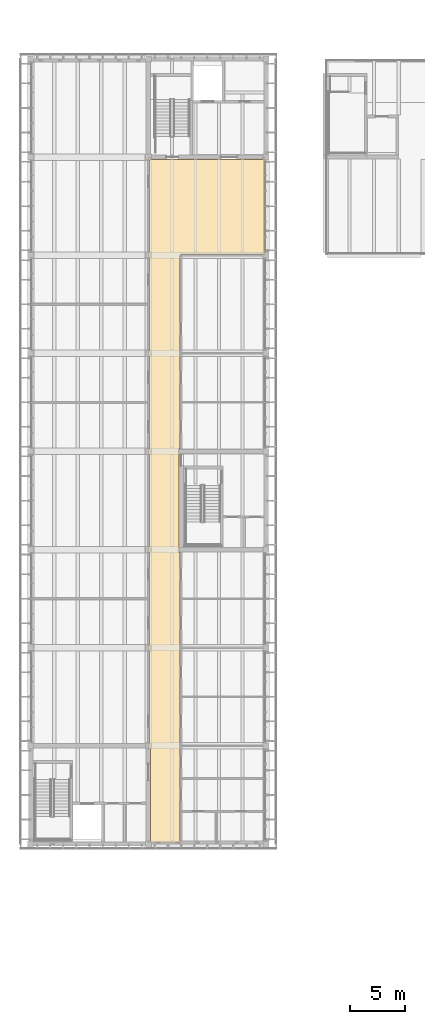
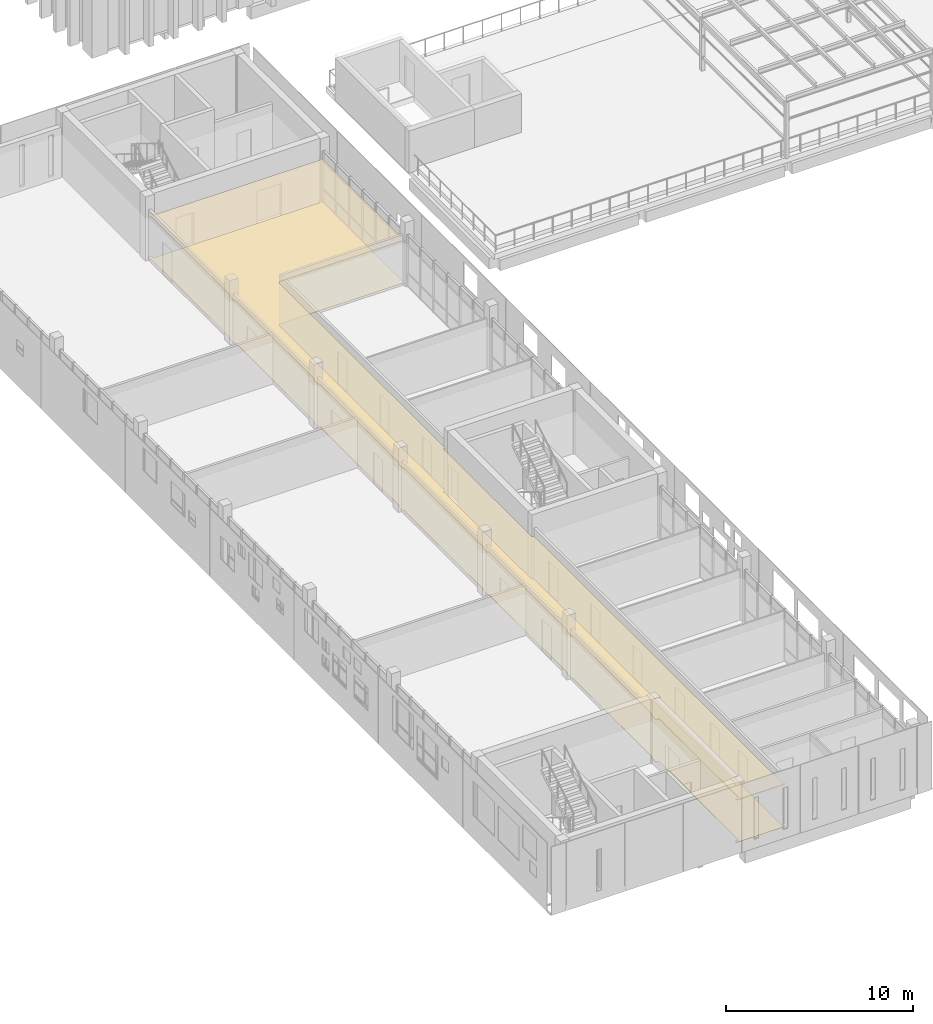
# One storey, part 65 of 74: 2 coverings.
"""IFC4 building model written with IfcOpenShell, lengths in metres."""

from ifc_helpers import new_model, si_unit, direction, frame, origin, place, context, subcontext, project, spatial, polyline, outline, extrude, material, layer, layer_set, type_object, element, save


model = new_model("IFC4")

# Units and contexts
model_context = context("Model", 3, precision=1e-05, world=origin(), true_north=direction((0.0, 1.0)))
body_context = subcontext(model_context, "Body", "Model", "MODEL_VIEW")
ifc_project = project(units=[si_unit("LENGTHUNIT", "METRE"), si_unit("AREAUNIT", "SQUARE_METRE"), si_unit("VOLUMEUNIT", "CUBIC_METRE"), si_unit("PLANEANGLEUNIT", "RADIAN"), si_unit("MASSUNIT", "GRAM", prefix="KILO")], contexts=[model_context])

# Site, building, storey
site_placement = place(None, origin())
site = spatial("IfcSite", under=ifc_project, at=site_placement, CompositionType="ELEMENT")
building_placement = place(site_placement, origin())
building = spatial("IfcBuilding", under=site, at=building_placement, Name="Merrow Basin Faculty of Sciences", CompositionType="ELEMENT")
storey_placement = place(building_placement, frame((0.0, 0.0, 13.5)))
storey = spatial("IfcBuildingStorey", under=building, at=storey_placement, Name="L03", CompositionType="ELEMENT", Elevation=13.5)

# Coverings
ifc_material_1 = material(Name="Polished terrazzo floor")
ifc_layer_1 = layer(ifc_material_1, 0.02001953125)
ifc_layer_set_1 = layer_set([ifc_layer_1], Name="Polished terrazzo floor")
covering_type_1 = type_object("IfcCoveringType", Name="Polished terrazzo floor", PredefinedType="FLOORING", material=ifc_layer_set_1)
covering_1_placement = place(storey_placement, origin())
element("IfcCovering", 1, at=covering_1_placement, inside=storey, type_object=covering_type_1, Name="Floor finish L03-B-028", PredefinedType="FLOORING", context=body_context, shape_type="SweptSolid", body=[
    extrude(outline(polyline([(11.06494140625, 123.989990234375), (11.06494140625, 123.7900390625), (21.3349609375, 123.7900390625), (21.3349609375, 123.989990234375), (21.489990234375, 123.989990234375), (21.489990234375, 115.010009765625), (21.3349609375, 115.010009765625), (21.3349609375, 115.0849609375), (13.7900390625, 115.0849609375), (13.7900390625, 115.010009765625), (13.715087890625, 115.010009765625), (13.715087890625, 97.2099609375), (13.590087890625, 97.2099609375), (13.590087890625, 96.800048828125), (13.590087890625, 88.2099609375), (13.590087890625, 87.7900390625), (13.715087890625, 87.7900390625), (13.715087890625, 61.2900390625), (13.7900390625, 61.2900390625), (13.7900390625, 61.110107421875), (10.81005859375, 61.110107421875), (10.81005859375, 61.264892578125), (11.010009765625, 61.264892578125), (11.010009765625, 69.735107421875), (10.81005859375, 69.735107421875), (10.81005859375, 70.264892578125), (10.885009765625, 70.264892578125), (10.885009765625, 78.735107421875), (10.81005859375, 78.735107421875), (10.81005859375, 79.264892578125), (10.885009765625, 79.264892578125), (10.885009765625, 87.735107421875), (10.81005859375, 87.735107421875), (10.81005859375, 88.264892578125), (10.885009765625, 88.264892578125), (10.885009765625, 96.735107421875), (10.81005859375, 96.735107421875), (10.81005859375, 97.264892578125), (10.885009765625, 97.264892578125), (10.885009765625, 105.735107421875), (10.81005859375, 105.735107421875), (10.81005859375, 106.264892578125), (10.885009765625, 106.264892578125), (10.885009765625, 114.735107421875), (10.81005859375, 114.735107421875), (10.81005859375, 115.264892578125), (10.885009765625, 115.264892578125), (10.885009765625, 123.735107421875), (10.81005859375, 123.735107421875), (10.81005859375, 123.989990234375), (11.06494140625, 123.989990234375)])), origin(), (0.0, 0.0, 1.0), 0.02001953125),
])
ifc_material_2 = material(Name="Mineral fibre ceiling tile")
ifc_layer_2 = layer(ifc_material_2, 0.050048828125)
ifc_layer_set_2 = layer_set([ifc_layer_2], Name="Suspended acoustic ceiling tile")
covering_type_2 = type_object("IfcCoveringType", Name="Suspended acoustic ceiling tile", PredefinedType="CEILING", material=ifc_layer_set_2)
covering_2_placement = place(storey_placement, frame((0.0, 0.0, 2.75)))
element("IfcCovering", 2, at=covering_2_placement, inside=storey, type_object=covering_type_2, Name="Ceiling L03-B-028", PredefinedType="CEILING", context=body_context, shape_type="SweptSolid", body=[
    extrude(outline(polyline([(11.06494140625, 123.989990234375), (11.06494140625, 123.7900390625), (21.3349609375, 123.7900390625), (21.3349609375, 123.989990234375), (21.489990234375, 123.989990234375), (21.489990234375, 115.010009765625), (21.3349609375, 115.010009765625), (21.3349609375, 115.0849609375), (13.7900390625, 115.0849609375), (13.7900390625, 115.010009765625), (13.715087890625, 115.010009765625), (13.715087890625, 97.2099609375), (13.590087890625, 97.2099609375), (13.590087890625, 96.800048828125), (13.590087890625, 88.2099609375), (13.590087890625, 87.7900390625), (13.715087890625, 87.7900390625), (13.715087890625, 61.2900390625), (13.7900390625, 61.2900390625), (13.7900390625, 61.110107421875), (10.81005859375, 61.110107421875), (10.81005859375, 61.264892578125), (11.010009765625, 61.264892578125), (11.010009765625, 69.735107421875), (10.81005859375, 69.735107421875), (10.81005859375, 70.264892578125), (10.885009765625, 70.264892578125), (10.885009765625, 78.735107421875), (10.81005859375, 78.735107421875), (10.81005859375, 79.264892578125), (10.885009765625, 79.264892578125), (10.885009765625, 87.735107421875), (10.81005859375, 87.735107421875), (10.81005859375, 88.264892578125), (10.885009765625, 88.264892578125), (10.885009765625, 96.735107421875), (10.81005859375, 96.735107421875), (10.81005859375, 97.264892578125), (10.885009765625, 97.264892578125), (10.885009765625, 105.735107421875), (10.81005859375, 105.735107421875), (10.81005859375, 106.264892578125), (10.885009765625, 106.264892578125), (10.885009765625, 114.735107421875), (10.81005859375, 114.735107421875), (10.81005859375, 115.264892578125), (10.885009765625, 115.264892578125), (10.885009765625, 123.735107421875), (10.81005859375, 123.735107421875), (10.81005859375, 123.989990234375), (11.06494140625, 123.989990234375)])), origin(), (0.0, 0.0, 1.0), 0.050048828125),
])

save(model, "model.ifc")
